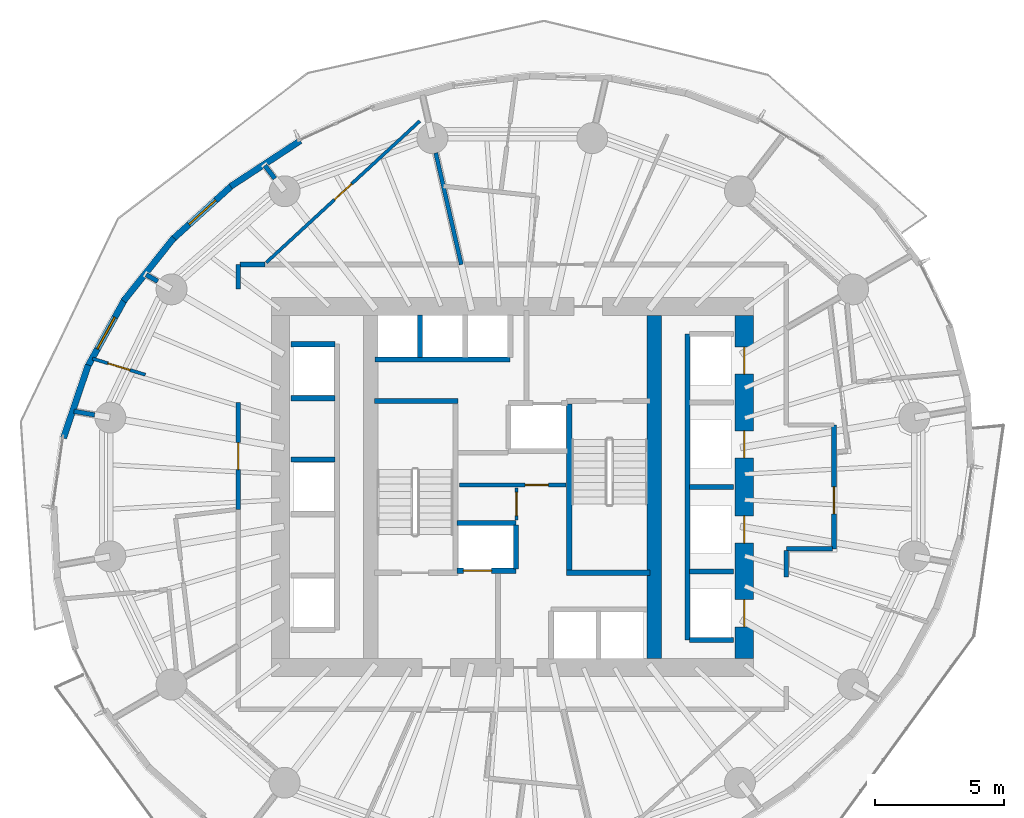
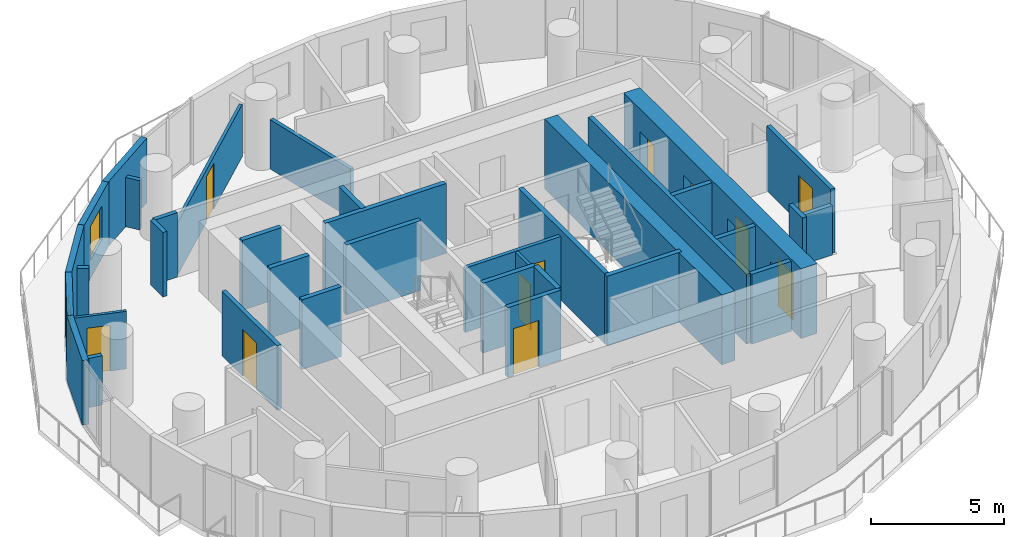
# One storey, part 8 of 14: 36 walls, 11 doors, 2 windows, 13 openings.
"""IFC4 building model written with IfcOpenShell, lengths in metres."""

import ifcopenshell
import ifcopenshell.guid

model = None  # the IFC model being written
_history = None  # IfcOwnerHistory: only IFC2X3 demands one
_inside = {}  # id of a spatial element -> (the spatial element, [elements in it])
_under = {}  # id of a project, library or spatial element -> (it, [spatial elements below it])
_declared = {}  # id of a project -> (the project, [libraries it declares])
_typed = {}  # id of a type object -> (the type object, [elements of that type])
_made_of = {}  # id of a material, layer set ... -> (it, [elements and type objects made of it])


def new_model(schema):
    """Start an empty IFC model of exactly this schema.

    Asked for "IFC4X3", IfcOpenShell would pick the latest addendum, in which some entities
    have other attributes; the version numbers below select the first issue.
    IFC2X3 requires an IfcOwnerHistory on every rooted entity: one is made here for all.
    """
    global model, _history
    if schema == "IFC4X3":
        model = ifcopenshell.file(schema_version=(4, 3, 0, 0))
    else:
        model = ifcopenshell.file(schema=schema)
    _inside.clear()
    _under.clear()
    _declared.clear()
    _typed.clear()
    _made_of.clear()
    _history = None
    if model.schema == "IFC2X3":
        org = make("IfcOrganization", Name="unknown")
        user = make(
            "IfcPersonAndOrganization",
            ThePerson=make("IfcPerson", FamilyName="unknown"),
            TheOrganization=org,
        )
        app = make(
            "IfcApplication",
            ApplicationDeveloper=org,
            Version="unknown",
            ApplicationFullName="unknown",
            ApplicationIdentifier="unknown",
        )
        _history = make(
            "IfcOwnerHistory",
            OwningUser=user,
            OwningApplication=app,
            ChangeAction="ADDED",
            CreationDate=0,
        )
    return model


def make(cls, **values):
    """One entity of the class cls with the attributes given. An attribute that is None is left unset."""
    return model.create_entity(
        cls, **{name: value for name, value in values.items() if value is not None}
    )


def rooted(cls, **values):
    """An entity with a GlobalId (a new one), such as an element, a storey or a relation."""
    return make(cls, GlobalId=ifcopenshell.guid.new(), OwnerHistory=_history, **values)


def si_unit(unit_type, name, prefix=None):
    """IfcSIUnit, for example si_unit("LENGTHUNIT", "METRE", prefix="MILLI")."""
    return make("IfcSIUnit", UnitType=unit_type, Prefix=prefix, Name=name)


def assignment(units):
    """IfcUnitAssignment: the units of a project."""
    return None if units is None else make("IfcUnitAssignment", Units=units)


def point(xyz):
    """IfcCartesianPoint."""
    return None if xyz is None else make("IfcCartesianPoint", Coordinates=xyz)


def direction(xyz):
    """IfcDirection."""
    return None if xyz is None else make("IfcDirection", DirectionRatios=xyz)


def frame(location, z_axis=None, x_axis=None):
    """IfcAxis2Placement3D, a coordinate frame: its origin and axes. An axis left out is left unset."""
    return make(
        "IfcAxis2Placement3D",
        Location=point(location),
        Axis=direction(z_axis),
        RefDirection=direction(x_axis),
    )


def frame_2d(location, x_axis=None):
    """IfcAxis2Placement2D, a coordinate frame in the plane: its origin and x axis."""
    return make(
        "IfcAxis2Placement2D", Location=point(location), RefDirection=direction(x_axis)
    )


def origin():
    """The frame at (0, 0, 0) with its axes left unset."""
    return frame((0.0, 0.0, 0.0))


def place(relative_to, where):
    """IfcLocalPlacement: puts the frame where relative to a parent placement (None: the world)."""
    return make(
        "IfcLocalPlacement", PlacementRelTo=relative_to, RelativePlacement=where
    )


def context(
    kind, dimensions, precision=None, world=None, true_north=None, identifier=None
):
    """IfcGeometricRepresentationContext, for example the 3D "Model" context."""
    return make(
        "IfcGeometricRepresentationContext",
        ContextIdentifier=identifier,
        ContextType=kind,
        CoordinateSpaceDimension=dimensions,
        Precision=precision,
        WorldCoordinateSystem=world,
        TrueNorth=true_north,
    )


def subcontext(parent, identifier, kind, view, scale=None):
    """IfcGeometricRepresentationSubContext, for example "Body" below "Model"."""
    return make(
        "IfcGeometricRepresentationSubContext",
        ContextIdentifier=identifier,
        ContextType=kind,
        ParentContext=parent,
        TargetScale=scale,
        TargetView=view,
    )


def project(units=None, contexts=None):
    """IfcProject with its units and contexts."""
    return rooted(
        "IfcProject",
        Name="project",
        RepresentationContexts=contexts,
        UnitsInContext=assignment(units),
    )


def spatial(cls, under=None, at=None, **own):
    """A site, building, storey or space (cls), placed at a placement, below another one or the project."""
    s = rooted(cls, ObjectPlacement=at, **own)
    if under is not None:
        _under.setdefault(under.id(), (under, []))[1].append(s)
    return s


def profile(cls, at=None, kind="AREA", **sizes):
    """A parametric profile (cls). Its sizes go by their IFC names, for example OverallWidth=200.0."""
    return make(cls, ProfileType=kind, Position=at, **sizes)


def rectangle(**sizes):
    """IfcRectangleProfileDef."""
    return profile("IfcRectangleProfileDef", **sizes)


def extrude(swept, where, along, depth):
    """IfcExtrudedAreaSolid: the profile swept, set in the frame where, extruded along a direction by depth."""
    return make(
        "IfcExtrudedAreaSolid",
        SweptArea=swept,
        Position=where,
        ExtrudedDirection=direction(along),
        Depth=depth,
    )


def shape(context_of_items, identifier, shape_type, items):
    """IfcShapeRepresentation: the items that make up one representation, for example the "Body"."""
    return make(
        "IfcShapeRepresentation",
        ContextOfItems=context_of_items,
        RepresentationIdentifier=identifier,
        RepresentationType=shape_type,
        Items=items,
    )


def material(Name=None, Category=None):
    """IfcMaterial."""
    return make("IfcMaterial", Name=Name, Category=Category)


def layer(
    of_material, thickness, ventilated=None, Name=None, Category=None, Priority=None
):
    """IfcMaterialLayer: one layer of a wall or slab, of a material (None: an air gap)."""
    return make(
        "IfcMaterialLayer",
        Material=of_material,
        LayerThickness=thickness,
        IsVentilated=ventilated,
        Name=Name,
        Category=Category,
        Priority=Priority,
    )


def layer_set(layers, Name=None):
    """IfcMaterialLayerSet."""
    return make("IfcMaterialLayerSet", MaterialLayers=layers, LayerSetName=Name)


def made_of(thing, what):
    """Note that an element or type object is made of a material, layer set ...; save() writes the relation."""
    if what is not None:
        _made_of.setdefault(what.id(), (what, []))[1].append(thing)
    return thing


def type_object(cls, material=None, **own):
    """A type object (cls), such as IfcWallType, which elements share."""
    return made_of(rooted(cls, **own), material)


def element(
    cls,
    number,
    at=None,
    inside=None,
    cuts=None,
    type_object=None,
    material=None,
    context=None,
    identifier="Body",
    shape_type=None,
    held_by="IfcProductDefinitionShape",
    body=None,
    shapes=None,
    **own,
):
    """One element of the class cls, such as IfcWall. Its Tag is "e" and its number.

    at: its placement. inside: the storey or other place that contains it. cuts: it is an
    opening in that element (IfcRelVoidsElement). A single representation is given by context,
    identifier, shape_type and body (its items); several are given by shapes. held_by: the class
    of the entity that holds the representations. save() writes the other relations.
    """
    e = rooted(cls, Tag="e%d" % number, ObjectPlacement=at, **own)
    if body is not None:
        shapes = [shape(context, identifier, shape_type, body)]
    if shapes is not None:
        e.Representation = make(held_by, Representations=shapes)
    if inside is not None:
        _inside.setdefault(inside.id(), (inside, []))[1].append(e)
    if cuts is not None:
        rooted(
            "IfcRelVoidsElement", RelatingBuildingElement=cuts, RelatedOpeningElement=e
        )
    if type_object is not None:
        _typed.setdefault(type_object.id(), (type_object, []))[1].append(e)
    return made_of(e, material)


def fill(opening, filler):
    """IfcRelFillsElement: the door or window that sits in an opening."""
    return rooted(
        "IfcRelFillsElement",
        RelatingOpeningElement=opening,
        RelatedBuildingElement=filler,
    )


def aggregate(whole, parts):
    """IfcRelAggregates: a whole, such as a stair, and the parts it consists of."""
    return rooted("IfcRelAggregates", RelatingObject=whole, RelatedObjects=parts)


def save(model, path):
    """Write the relations noted so far, then the file.

    IfcRelAggregates (storeys below a building ...), IfcRelContainedInSpatialStructure (elements
    in a storey), IfcRelDefinesByType, IfcRelAssociatesMaterial and IfcRelDeclares: one each for
    every whole, place, type object, material and project.
    """
    for whole, parts in _under.values():
        aggregate(whole, parts)
    for where, things in _inside.values():
        rooted(
            "IfcRelContainedInSpatialStructure",
            RelatedElements=things,
            RelatingStructure=where,
        )
    for kind, things in _typed.values():
        rooted("IfcRelDefinesByType", RelatedObjects=things, RelatingType=kind)
    for what, things in _made_of.values():
        rooted("IfcRelAssociatesMaterial", RelatedObjects=things, RelatingMaterial=what)
    for by, libraries in _declared.values():
        rooted("IfcRelDeclares", RelatingContext=by, RelatedDefinitions=libraries)
    model.write(path)


model = new_model("IFC4")

# Units and contexts
model_context = context("Model", 3, precision=1e-05, world=origin(), true_north=direction((0.0, 1.0)))
body_context = subcontext(model_context, "Body", "Model", "MODEL_VIEW")
ifc_project = project(units=[si_unit("LENGTHUNIT", "METRE"), si_unit("AREAUNIT", "SQUARE_METRE"), si_unit("VOLUMEUNIT", "CUBIC_METRE"), si_unit("PLANEANGLEUNIT", "RADIAN"), si_unit("MASSUNIT", "GRAM", prefix="KILO")], contexts=[model_context])

# Site, building, storey
site_placement = place(None, origin())
site = spatial("IfcSite", under=ifc_project, at=site_placement, CompositionType="ELEMENT")
building_placement = place(site_placement, origin())
building = spatial("IfcBuilding", under=site, at=building_placement, Name="Veldorim Arch Residences", CompositionType="ELEMENT")
storey_placement = place(building_placement, frame((0.0, 0.0, 83.679931640625)))
storey = spatial("IfcBuildingStorey", under=building, at=storey_placement, Name="L24", CompositionType="ELEMENT", Elevation=83.679931640625)

# Wall, opening, door
ifc_material_1 = material(Name="Acoustic Gypsum Board", Category="gypsum")
ifc_layer_1 = layer(ifc_material_1, 0.125, Name="Acoustic Stud Room Partition Wall 125")
ifc_layer_set_1 = layer_set([ifc_layer_1], Name="Acoustic Gypsum Board")
wall_type_1 = type_object("IfcWallType", Name="Acoustic Stud Room Partition Wall 125", PredefinedType="PARTITIONING", material=ifc_layer_set_1)
wall_1_placement = place(storey_placement, frame((32.159912109375, 22.719970703125, 0.0), z_axis=(0.0, 0.0, 1.0), x_axis=(0.0, 1.0, 0.0)))
wall_1 = element("IfcWall", 1, at=wall_1_placement, inside=storey, type_object=wall_type_1, Name="L24 interior wall WL-CA-L24-2", PredefinedType="PARTITIONING", context=body_context, shape_type="SweptSolid", body=[
    extrude(rectangle(XDim=1.25, YDim=0.125, at=frame_2d((0.625, 0.0))), origin(), (0.0, 0.0, 1.0), 2.955078125),
])
opening_1_placement = place(wall_1_placement, frame((0.169921875, 0.0, 0.0)))
opening_1 = element("IfcOpeningElement", 2, at=opening_1_placement, cuts=wall_1, Name="Opening DR-SVC", PredefinedType="OPENING", context=body_context, shape_type="SweptSolid", body=[
    extrude(rectangle(XDim=0.89990234375, YDim=2.10009765625, at=frame_2d((0.449951171875, 1.050048828125))), frame((0.0, 0.072509765625, 0.0), z_axis=(0.0, -1.0, 0.0), x_axis=(1.0, 0.0, 0.0)), (0.0, 0.0, 1.0), 0.14501953125),
])
ifc_material_2 = material(Name="Fire-Rated Steel", Category="steel")
door_type_1 = type_object("IfcDoorType", Name="Riser, Shelter & Plant Room Rated Steel Door 900x2100", OperationType="SINGLE_SWING_LEFT", PredefinedType="DOOR", material=ifc_material_2)
door_1_placement = place(opening_1_placement, origin())
door_1 = element("IfcDoor", 3, at=door_1_placement, inside=storey, type_object=door_type_1, Name="L24 interior door DR-L24-CA2", OperationType="SINGLE_SWING_RIGHT", OverallHeight=2.10009765625, OverallWidth=0.89990234375, PredefinedType="DOOR", context=body_context, shape_type="SweptSolid", body=[
    extrude(rectangle(XDim=0.89990234375, YDim=2.10009765625, at=frame_2d((0.449951171875, 1.050048828125))), frame((0.0, 0.02490234375, 0.0), z_axis=(0.0, -1.0, 0.0), x_axis=(1.0, 0.0, 0.0)), (0.0, 0.0, 1.0), 0.050048828125),
])
fill(opening_1, door_1)

wall_2_placement = place(storey_placement, frame((15.711669921875, 28.982177734375, 0.0), z_axis=(0.0, 0.0, 1.0), x_axis=(0.956248079097, -0.292557022175, 0.0)))
wall_2 = element("IfcWall", 4, at=wall_2_placement, inside=storey, type_object=wall_type_1, Name="L24 interior wall WL-RES-L24-036", PredefinedType="PARTITIONING", context=body_context, shape_type="SweptSolid", body=[
    extrude(rectangle(XDim=2.143798828125, YDim=0.125, at=frame_2d((1.07177734375, 0.0))), origin(), (0.0, 0.0, 1.0), 2.641357421875),
])
opening_2_placement = place(wall_2_placement, frame((0.6220703125, 0.0, 0.0)))
opening_2 = element("IfcOpeningElement", 5, at=opening_2_placement, cuts=wall_2, Name="Opening DR-INT", PredefinedType="OPENING", context=body_context, shape_type="SweptSolid", body=[
    extrude(rectangle(XDim=0.89990234375, YDim=2.10009765625, at=frame_2d((0.449951171875, 1.050048828125))), frame((0.0, 0.072509765625, 0.0), z_axis=(0.0, -1.0, 0.0), x_axis=(1.0, 0.0, 0.0)), (0.0, 0.0, 1.0), 0.14501953125),
])
ifc_material_3 = material(Name="Engineered Timber", Category="wood")
door_type_2 = type_object("IfcDoorType", Name="Apartment Internal Room Timber Door 900x2100", OperationType="SINGLE_SWING_LEFT", PredefinedType="DOOR", material=ifc_material_3)
door_2_placement = place(opening_2_placement, origin())
door_2 = element("IfcDoor", 6, at=door_2_placement, inside=storey, type_object=door_type_2, Name="L24 interior door DR-RES-L24-018", OperationType="SINGLE_SWING_RIGHT", OverallHeight=2.10009765625, OverallWidth=0.89990234375, PredefinedType="DOOR", context=body_context, shape_type="SweptSolid", body=[
    extrude(rectangle(XDim=0.89990234375, YDim=2.10009765625, at=frame_2d((0.449951171875, 1.050048828125))), frame((0.0, 0.02490234375, 0.0), z_axis=(0.0, -1.0, 0.0), x_axis=(1.0, 0.0, 0.0)), (0.0, 0.0, 1.0), 0.050048828125),
])
fill(opening_2, door_2)

wall_3_placement = place(storey_placement, frame((28.408203125, 38.19482421875, 0.0), z_axis=(0.0, 0.0, 1.0), x_axis=(-0.735306461181, -0.677734762386, 0.0)))
wall_3 = element("IfcWall", 7, at=wall_3_placement, inside=storey, type_object=wall_type_1, Name="L24 interior wall WL-RES-L24-039", PredefinedType="PARTITIONING", context=body_context, shape_type="SweptSolid", body=[
    extrude(rectangle(XDim=8.091064453125, YDim=0.125, at=frame_2d((4.04541015625, 0.0))), origin(), (0.0, 0.0, 1.0), 2.403564453125),
])
opening_3_placement = place(wall_3_placement, frame((3.595703125, 0.0, 0.0)))
opening_3 = element("IfcOpeningElement", 8, at=opening_3_placement, cuts=wall_3, Name="Opening DR-INT", PredefinedType="OPENING", context=body_context, shape_type="SweptSolid", body=[
    extrude(rectangle(XDim=0.89990234375, YDim=2.10009765625, at=frame_2d((0.449951171875, 1.050048828125))), frame((0.0, 0.072509765625, 0.0), z_axis=(0.0, -1.0, 0.0), x_axis=(1.0, 0.0, 0.0)), (0.0, 0.0, 1.0), 0.14501953125),
])
door_3_placement = place(opening_3_placement, origin())
door_3 = element("IfcDoor", 9, at=door_3_placement, inside=storey, type_object=door_type_2, Name="L24 interior door DR-RES-L24-019", OperationType="SINGLE_SWING_LEFT", OverallHeight=2.10009765625, OverallWidth=0.89990234375, PredefinedType="DOOR", context=body_context, shape_type="SweptSolid", body=[
    extrude(rectangle(XDim=0.89990234375, YDim=2.10009765625, at=frame_2d((0.449951171875, 1.050048828125))), frame((0.0, 0.02490234375, 0.0), z_axis=(0.0, -1.0, 0.0), x_axis=(1.0, 0.0, 0.0)), (0.0, 0.0, 1.0), 0.050048828125),
])
fill(opening_3, door_3)

# Walls
ifc_material_4 = material(Name="Lightweight Masonry Block & Gypsum", Category="masonry")
ifc_layer_2 = layer(ifc_material_4, 0.179931640625, Name="Compartment & Corridor Fire-Rated Party Wall 180")
ifc_layer_set_2 = layer_set([ifc_layer_2], Name="Lightweight Masonry Block & Gypsum")
wall_type_2 = type_object("IfcWallType", Name="Compartment & Corridor Fire-Rated Party Wall 180", PredefinedType="PARTITIONING", material=ifc_layer_set_2)
wall_4_placement = place(storey_placement, frame((22.7880859375, 35.965576171875, 0.0), z_axis=(0.0, 0.0, 1.0), x_axis=(-0.609970610867, 0.792424036661, 0.0)))
element("IfcWall", 10, at=wall_4_placement, inside=storey, type_object=wall_type_2, Name="L24 interior wall WL-PIER-L24-06", PredefinedType="PARTITIONING", context=body_context, shape_type="SweptSolid", body=[
    extrude(rectangle(XDim=0.635498046875, YDim=0.179931640625, at=frame_2d((0.31787109375, 0.0))), origin(), (0.0, 0.0, 1.0), 2.2607421875),
])
wall_5_placement = place(storey_placement, frame((18.243408203125, 31.977783203125, 0.0), z_axis=(0.0, 0.0, 1.0), x_axis=(-0.864981735625, 0.501803344981, 0.0)))
element("IfcWall", 11, at=wall_5_placement, inside=storey, type_object=wall_type_2, Name="L24 interior wall WL-PIER-L24-07", PredefinedType="PARTITIONING", context=body_context, shape_type="SweptSolid", body=[
    extrude(rectangle(XDim=0.51416015625, YDim=0.179931640625, at=frame_2d((0.257080078125, 0.0))), origin(), (0.0, 0.0, 1.0), 2.2607421875),
])
wall_6_placement = place(storey_placement, frame((15.79443359375, 26.797607421875, 0.0), z_axis=(0.0, 0.0, 1.0), x_axis=(-0.985418430365, 0.170148514822, 0.0)))
element("IfcWall", 12, at=wall_6_placement, inside=storey, type_object=wall_type_2, Name="L24 interior wall WL-PIER-L24-08", PredefinedType="PARTITIONING", context=body_context, shape_type="SweptSolid", body=[
    extrude(rectangle(XDim=0.812255859375, YDim=0.179931640625, at=frame_2d((0.40625, 0.0))), origin(), (0.0, 0.0, 1.0), 2.2607421875),
])

# Wall, opening, door
wall_7_placement = place(storey_placement, frame((44.47998046875, 26.39990234375, 0.0), z_axis=(0.0, 0.0, 1.0), x_axis=(0.0, -1.0, 0.0)))
wall_7 = element("IfcWall", 13, at=wall_7_placement, inside=storey, type_object=wall_type_2, Name="L24 interior wall WL-RES-L24-003", PredefinedType="PARTITIONING", context=body_context, shape_type="SweptSolid", body=[
    extrude(rectangle(XDim=4.7998046875, YDim=0.179931640625, at=frame_2d((2.39990234375, 0.0))), origin(), (0.0, 0.0, 1.0), 2.955078125),
])
opening_4_placement = place(wall_7_placement, frame((2.39208984375, 0.0, 0.0)))
opening_4 = element("IfcOpeningElement", 14, at=opening_4_placement, cuts=wall_7, Name="Opening DR-FLT", PredefinedType="OPENING", context=body_context, shape_type="SweptSolid", body=[
    extrude(rectangle(XDim=1.050048828125, YDim=2.14990234375, at=frame_2d((0.52490234375, 1.074951171875))), frame((0.0, 0.099853515625, 0.0), z_axis=(0.0, -1.0, 0.0), x_axis=(1.0, 0.0, 0.0)), (0.0, 0.0, 1.0), 0.199951171875),
])
ifc_material_5 = material(Name="Fire-Rated Timber", Category="wood")
door_type_3 = type_object("IfcDoorType", Name="Apartment Entrance Solid-Core Fire Door 1050x2150", OperationType="SINGLE_SWING_LEFT", PredefinedType="DOOR", material=ifc_material_5)
door_4_placement = place(opening_4_placement, origin())
door_4 = element("IfcDoor", 15, at=door_4_placement, inside=storey, type_object=door_type_3, Name="L24 interior door DR-RES-L24-006", OperationType="SINGLE_SWING_RIGHT", OverallHeight=2.14990234375, OverallWidth=1.050048828125, PredefinedType="DOOR", context=body_context, shape_type="SweptSolid", body=[
    extrude(rectangle(XDim=1.050048828125, YDim=2.14990234375, at=frame_2d((0.52490234375, 1.074951171875))), frame((0.0, 0.02490234375, 0.0), z_axis=(0.0, -1.0, 0.0), x_axis=(1.0, 0.0, 0.0)), (0.0, 0.0, 1.0), 0.050048828125),
])
fill(opening_4, door_4)

# Walls
wall_8_placement = place(storey_placement, frame((44.419921875, 21.60009765625, 0.0), z_axis=(0.0, 0.0, 1.0), x_axis=(-1.0, 0.0, 0.0)))
element("IfcWall", 16, at=wall_8_placement, inside=storey, type_object=wall_type_2, Name="L24 interior wall WL-RES-L24-004", PredefinedType="PARTITIONING", context=body_context, shape_type="SweptSolid", body=[
    extrude(rectangle(XDim=1.7900390625, YDim=0.179931640625, at=frame_2d((0.89501953125, 0.0))), origin(), (0.0, 0.0, 1.0), 2.2607421875),
])
wall_9_placement = place(storey_placement, frame((42.6298828125, 21.5400390625, 0.0), z_axis=(0.0, 0.0, 1.0), x_axis=(0.0, -1.0, 0.0)))
element("IfcWall", 17, at=wall_9_placement, inside=storey, type_object=wall_type_2, Name="L24 interior wall WL-RES-L24-005", PredefinedType="PARTITIONING", context=body_context, shape_type="SweptSolid", body=[
    extrude(rectangle(XDim=1.033935546875, YDim=0.179931640625, at=frame_2d((0.51708984375, 0.0))), origin(), (0.0, 0.0, 1.0), 2.955078125),
])

# Wall, opening, door
wall_10_placement = place(storey_placement, frame((21.3701171875, 23.118408203125, 0.0), z_axis=(0.0, 0.0, 1.0), x_axis=(0.0, 1.0, 0.0)))
wall_10 = element("IfcWall", 18, at=wall_10_placement, inside=storey, type_object=wall_type_2, Name="L24 interior wall WL-RES-L24-011", PredefinedType="PARTITIONING", context=body_context, shape_type="SweptSolid", body=[
    extrude(rectangle(XDim=4.15380859375, YDim=0.179931640625, at=frame_2d((2.076904296875, 0.0))), origin(), (0.0, 0.0, 1.0), 2.955078125),
])
opening_5_placement = place(wall_10_placement, frame((1.552001953125, 0.0, 0.0)))
opening_5 = element("IfcOpeningElement", 19, at=opening_5_placement, cuts=wall_10, Name="Opening DR-FLT", PredefinedType="OPENING", context=body_context, shape_type="SweptSolid", body=[
    extrude(rectangle(XDim=1.050048828125, YDim=2.14990234375, at=frame_2d((0.52490234375, 1.074951171875))), frame((0.0, 0.099853515625, 0.0), z_axis=(0.0, -1.0, 0.0), x_axis=(1.0, 0.0, 0.0)), (0.0, 0.0, 1.0), 0.199951171875),
])
door_5_placement = place(opening_5_placement, origin())
door_5 = element("IfcDoor", 20, at=door_5_placement, inside=storey, type_object=door_type_3, Name="L24 interior door DR-RES-L24-016", OperationType="SINGLE_SWING_RIGHT", OverallHeight=2.14990234375, OverallWidth=1.050048828125, PredefinedType="DOOR", context=body_context, shape_type="SweptSolid", body=[
    extrude(rectangle(XDim=1.050048828125, YDim=2.14990234375, at=frame_2d((0.52490234375, 1.074951171875))), frame((0.0, 0.02490234375, 0.0), z_axis=(0.0, -1.0, 0.0), x_axis=(1.0, 0.0, 0.0)), (0.0, 0.0, 1.0), 0.050048828125),
])
fill(opening_5, door_5)

# Walls
wall_11_placement = place(storey_placement, frame((21.3701171875, 31.6806640625, 0.0), z_axis=(0.0, 0.0, 1.0), x_axis=(0.0, 1.0, 0.0)))
element("IfcWall", 21, at=wall_11_placement, inside=storey, type_object=wall_type_2, Name="L24 interior wall WL-RES-L24-012", PredefinedType="PARTITIONING", context=body_context, shape_type="SweptSolid", body=[
    extrude(rectangle(XDim=0.94921875, YDim=0.179931640625, at=frame_2d((0.474609375, 0.0))), origin(), (0.0, 0.0, 1.0), 2.955078125),
])
wall_12_placement = place(storey_placement, frame((21.429931640625, 32.6298828125, 0.0), z_axis=(0.0, 0.0, 1.0), x_axis=(1.0, 0.0, 0.0)))
element("IfcWall", 22, at=wall_12_placement, inside=storey, type_object=wall_type_2, Name="L24 interior wall WL-RES-L24-013", PredefinedType="PARTITIONING", context=body_context, shape_type="SweptSolid", body=[
    extrude(rectangle(XDim=0.969970703125, YDim=0.179931640625, at=frame_2d((0.48486328125, 0.0))), origin(), (0.0, 0.0, 1.0), 2.955078125),
])
ifc_material_6 = material(Name="Concrete C50/60", Category="concrete")
ifc_layer_3 = layer(ifc_material_6, 0.199951171875, Name="Core Stair & Lift Shaft Enclosure Wall 200")
ifc_layer_set_3 = layer_set([ifc_layer_3], Name="Concrete C50/60")
wall_type_3 = type_object("IfcWallType", Name="Core Stair & Lift Shaft Enclosure Wall 200", PredefinedType="SHEAR", material=ifc_layer_set_3)
wall_13_placement = place(storey_placement, frame((26.64990234375, 27.330078125, 0.0), z_axis=(0.0, 0.0, 1.0), x_axis=(1.0, 0.0, 0.0)))
element("IfcWall", 23, at=wall_13_placement, inside=storey, type_object=wall_type_3, Name="L24 shaft wall WL-SHF-L24-ST1-N", PredefinedType="SHEAR", context=body_context, shape_type="SweptSolid", body=[
    extrude(rectangle(XDim=3.239990234375, YDim=0.199951171875, at=frame_2d((1.6201171875, 0.0))), origin(), (0.0, 0.0, 1.0), 3.199951171875),
])
wall_14_placement = place(storey_placement, frame((34.2099609375, 20.780029296875, 0.0), z_axis=(0.0, 0.0, 1.0), x_axis=(0.0, 1.0, 0.0)))
element("IfcWall", 24, at=wall_14_placement, inside=storey, type_object=wall_type_3, Name="L24 shaft wall WL-SHF-L24-ST2-W", PredefinedType="SHEAR", context=body_context, shape_type="SweptSolid", body=[
    extrude(rectangle(XDim=6.43994140625, YDim=0.199951171875, at=frame_2d((3.219970703125, 0.0))), origin(), (0.0, 0.0, 1.0), 3.199951171875),
])
wall_15_placement = place(storey_placement, frame((34.110107421875, 20.669921875, 0.0), z_axis=(0.0, 0.0, 1.0), x_axis=(1.0, 0.0, 0.0)))
element("IfcWall", 25, at=wall_15_placement, inside=storey, type_object=wall_type_3, Name="L24 shaft wall WL-SHF-L24-ST2-S", PredefinedType="SHEAR", context=body_context, shape_type="SweptSolid", body=[
    extrude(rectangle(XDim=3.239990234375, YDim=0.199951171875, at=frame_2d((1.6201171875, 0.0))), origin(), (0.0, 0.0, 1.0), 3.199951171875),
])

# Wall, opening, door
wall_16_placement = place(storey_placement, frame((29.85009765625, 20.75, 0.0), z_axis=(0.0, 0.0, 1.0), x_axis=(1.0, 0.0, 0.0)))
wall_16 = element("IfcWall", 26, at=wall_16_placement, inside=storey, type_object=wall_type_3, Name="L24 shaft wall WL-FL01-L24-S", PredefinedType="SHEAR", context=body_context, shape_type="SweptSolid", body=[
    extrude(rectangle(XDim=2.2998046875, YDim=0.199951171875, at=frame_2d((1.14990234375, 0.0))), origin(), (0.0, 0.0, 1.0), 3.199951171875),
])
opening_6_placement = place(wall_16_placement, frame((0.25, 0.0, 0.0)))
opening_6 = element("IfcOpeningElement", 27, at=opening_6_placement, cuts=wall_16, Name="Opening LD-FF", PredefinedType="OPENING", context=body_context, shape_type="SweptSolid", body=[
    extrude(rectangle(XDim=1.10009765625, YDim=2.14990234375, at=frame_2d((0.550048828125, 1.074951171875))), frame((0.0, 0.10986328125, 0.0), z_axis=(0.0, -1.0, 0.0), x_axis=(1.0, 0.0, 0.0)), (0.0, 0.0, 1.0), 0.219970703125),
])
ifc_material_7 = material(Name="Stainless Steel", Category="steel")
door_type_4 = type_object("IfcDoorType", Name="Firefighting Lift Bi-Parting Sliding Landing Door 1100x2150", OperationType="DOUBLE_DOOR_SLIDING", PredefinedType="DOOR", material=ifc_material_7)
door_6_placement = place(opening_6_placement, origin())
door_6 = element("IfcDoor", 28, at=door_6_placement, inside=storey, type_object=door_type_4, Name="L24 lift landing door LD-L24-FL01", OperationType="DOUBLE_DOOR_SLIDING", OverallHeight=2.14990234375, OverallWidth=1.10009765625, PredefinedType="DOOR", context=body_context, shape_type="SweptSolid", body=[
    extrude(rectangle(XDim=1.10009765625, YDim=2.14990234375, at=frame_2d((0.550048828125, 1.074951171875))), frame((0.0, 0.02490234375, 0.0), z_axis=(0.0, -1.0, 0.0), x_axis=(1.0, 0.0, 0.0)), (0.0, 0.0, 1.0), 0.050048828125),
])
fill(opening_6, door_6)

# Walls
wall_17_placement = place(storey_placement, frame((29.85009765625, 22.60009765625, 0.0), z_axis=(0.0, 0.0, 1.0), x_axis=(1.0, 0.0, 0.0)))
element("IfcWall", 29, at=wall_17_placement, inside=storey, type_object=wall_type_3, Name="L24 shaft wall WL-FL01-L24-N", PredefinedType="SHEAR", context=body_context, shape_type="SweptSolid", body=[
    extrude(rectangle(XDim=2.2998046875, YDim=0.199951171875, at=frame_2d((1.14990234375, 0.0))), origin(), (0.0, 0.0, 1.0), 3.199951171875),
])
wall_18_placement = place(storey_placement, frame((32.14990234375, 20.820068359375, 0.0), z_axis=(0.0, 0.0, 1.0), x_axis=(0.0, 1.0, 0.0)))
element("IfcWall", 30, at=wall_18_placement, inside=storey, type_object=wall_type_3, Name="L24 shaft wall WL-FL01-L24-E", PredefinedType="SHEAR", context=body_context, shape_type="SweptSolid", body=[
    extrude(rectangle(XDim=1.7099609375, YDim=0.199951171875, at=frame_2d((0.85498046875, 0.0))), origin(), (0.0, 0.0, 1.0), 3.199951171875),
])
wall_19_placement = place(storey_placement, frame((38.800048828125, 18.06005859375, 0.0), z_axis=(0.0, 0.0, 1.0), x_axis=(0.0, 1.0, 0.0)))
element("IfcWall", 31, at=wall_19_placement, inside=storey, type_object=wall_type_3, Name="L24 shaft wall WL-B1-L24-W", PredefinedType="SHEAR", context=body_context, shape_type="SweptSolid", body=[
    extrude(rectangle(XDim=11.8798828125, YDim=0.199951171875, at=frame_2d((5.93994140625, 0.0))), origin(), (0.0, 0.0, 1.0), 3.199951171875),
])
for number, where, z_axis, x_axis, name in (
    (32, (38.8701171875, 18.06005859375, 0.0), (0.0, 0.0, 1.0), (1.0, 0.0, 0.0), "L24 shaft wall WL-B1-L24-S"),
    (33, (38.8701171875, 20.72509765625, 0.0), (0.0, 0.0, 1.0), (1.0, 0.0, 0.0), "L24 shaft wall WL-B1-L24-D1"),
    (34, (38.8701171875, 24.0, 0.0), (0.0, 0.0, 1.0), (1.0, 0.0, 0.0), "L24 shaft wall WL-B1-L24-D2"),
    (35, (23.419921875, 29.5400390625, 0.0), (0.0, 0.0, 1.0), (1.0, 0.0, 0.0), "L24 shaft wall WL-B2-L24-N"),
    (36, (23.419921875, 25.06005859375, 0.0), (0.0, 0.0, 1.0), (1.0, 0.0, 0.0), "L24 shaft wall WL-B2-L24-D2A"),
    (37, (23.419921875, 27.43994140625, 0.0), (0.0, 0.0, 1.0), (1.0, 0.0, 0.0), "L24 shaft wall WL-B2-L24-D2B"),
):
    element("IfcWall", number, at=place(storey_placement, frame(where, z_axis=z_axis, x_axis=x_axis)), inside=storey, type_object=wall_type_3, Name=name, PredefinedType="SHEAR", context=body_context, shape_type="SweptSolid", body=[
        extrude(rectangle(XDim=1.7099609375, YDim=0.199951171875, at=frame_2d((0.85498046875, 0.0))), origin(), (0.0, 0.0, 1.0), 3.199951171875),
    ])
wall_20_placement = place(storey_placement, frame((26.679931640625, 28.949951171875, 0.0), z_axis=(0.0, 0.0, 1.0), x_axis=(1.0, 0.0, 0.0)))
element("IfcWall", 38, at=wall_20_placement, inside=storey, type_object=wall_type_3, Name="L24 shaft wall WL-B3-L24-S", PredefinedType="SHEAR", context=body_context, shape_type="SweptSolid", body=[
    extrude(rectangle(XDim=5.239990234375, YDim=0.199951171875, at=frame_2d((2.6201171875, 0.0))), origin(), (0.0, 0.0, 1.0), 3.199951171875),
])
wall_21_placement = place(storey_placement, frame((28.425048828125, 29.02001953125, 0.0), z_axis=(0.0, 0.0, 1.0), x_axis=(0.0, 1.0, 0.0)))
element("IfcWall", 39, at=wall_21_placement, inside=storey, type_object=wall_type_3, Name="L24 shaft wall WL-B3-L24-D1", PredefinedType="SHEAR", context=body_context, shape_type="SweptSolid", body=[
    extrude(rectangle(XDim=1.659912109375, YDim=0.199951171875, at=frame_2d((0.830078125, 0.0))), origin(), (0.0, 0.0, 1.0), 3.199951171875),
])
ifc_material_8 = material(Name="Concrete C60/75", Category="concrete")
ifc_layer_4 = layer(ifc_material_8, 0.56005859375, Name="Internal Core Shear Web Wall 560")
ifc_layer_set_4 = layer_set([ifc_layer_4], Name="Concrete C60/75")
wall_type_4 = type_object("IfcWallType", Name="Internal Core Shear Web Wall 560", PredefinedType="SHEAR", material=ifc_layer_set_4)
wall_22_placement = place(storey_placement, frame((37.5, 17.35009765625, 0.0), z_axis=(0.0, 0.0, 1.0), x_axis=(0.0, 1.0, 0.0)))
element("IfcWall", 40, at=wall_22_placement, inside=storey, type_object=wall_type_4, Name="L24 core east internal shear web", PredefinedType="SHEAR", context=body_context, shape_type="SweptSolid", body=[
    extrude(rectangle(XDim=13.2998046875, YDim=0.56005859375, at=frame_2d((6.64990234375, 0.0))), origin(), (0.0, 0.0, 1.0), 3.199951171875),
])

# Wall, openings, doors
ifc_material_9 = material(Name="Concrete C60/75", Category="concrete")
ifc_layer_5 = layer(ifc_material_9, 0.699951171875, Name="Mid-Lower Central Core Shear Wall 700")
ifc_layer_set_5 = layer_set([ifc_layer_5], Name="Concrete C60/75")
wall_type_5 = type_object("IfcWallType", Name="Mid-Lower Central Core Shear Wall 700", PredefinedType="SHEAR", material=ifc_layer_set_5)
wall_23_placement = place(storey_placement, frame((41.0, 17.35009765625, 0.0), z_axis=(0.0, 0.0, 1.0), x_axis=(0.0, 1.0, 0.0)))
wall_23 = element("IfcWall", 41, at=wall_23_placement, inside=storey, type_object=wall_type_5, Name="L24 central core east shear wall", PredefinedType="SHEAR", context=body_context, shape_type="SweptSolid", body=[
    extrude(rectangle(XDim=13.2998046875, YDim=0.699951171875, at=frame_2d((6.64990234375, 0.0))), origin(), (0.0, 0.0, 1.0), 3.199951171875),
])
opening_7_placement = place(wall_23_placement, frame((1.22509765625, 0.0, 0.0)))
opening_7 = element("IfcOpeningElement", 42, at=opening_7_placement, cuts=wall_23, Name="Opening LD-PS", PredefinedType="OPENING", context=body_context, shape_type="SweptSolid", body=[
    extrude(rectangle(XDim=1.050048828125, YDim=2.14990234375, at=frame_2d((0.52490234375, 1.074951171875))), frame((0.0, 0.35986328125, 0.0), z_axis=(0.0, -1.0, 0.0), x_axis=(1.0, 0.0, 0.0)), (0.0, 0.0, 1.0), 0.719970703125),
])
opening_8_placement = place(wall_23_placement, frame((4.47509765625, 0.0, 0.0)))
opening_8 = element("IfcOpeningElement", 43, at=opening_8_placement, cuts=wall_23, Name="Opening LD-PS", PredefinedType="OPENING", context=body_context, shape_type="SweptSolid", body=[
    extrude(rectangle(XDim=1.050048828125, YDim=2.14990234375, at=frame_2d((0.52490234375, 1.074951171875))), frame((0.0, 0.35986328125, 0.0), z_axis=(0.0, -1.0, 0.0), x_axis=(1.0, 0.0, 0.0)), (0.0, 0.0, 1.0), 0.719970703125),
])
opening_9_placement = place(wall_23_placement, frame((7.77490234375, 0.0, 0.0)))
opening_9 = element("IfcOpeningElement", 44, at=opening_9_placement, cuts=wall_23, Name="Opening LD-PS", PredefinedType="OPENING", context=body_context, shape_type="SweptSolid", body=[
    extrude(rectangle(XDim=1.050048828125, YDim=2.14990234375, at=frame_2d((0.52490234375, 1.074951171875))), frame((0.0, 0.35986328125, 0.0), z_axis=(0.0, -1.0, 0.0), x_axis=(1.0, 0.0, 0.0)), (0.0, 0.0, 1.0), 0.719970703125),
])
opening_10_placement = place(wall_23_placement, frame((11.02490234375, 0.0, 0.0)))
opening_10 = element("IfcOpeningElement", 45, at=opening_10_placement, cuts=wall_23, Name="Opening LD-PS", PredefinedType="OPENING", context=body_context, shape_type="SweptSolid", body=[
    extrude(rectangle(XDim=1.050048828125, YDim=2.14990234375, at=frame_2d((0.52490234375, 1.074951171875))), frame((0.0, 0.35986328125, 0.0), z_axis=(0.0, -1.0, 0.0), x_axis=(1.0, 0.0, 0.0)), (0.0, 0.0, 1.0), 0.719970703125),
])
ifc_material_10 = material(Name="Stainless Steel", Category="steel")
door_type_5 = type_object("IfcDoorType", Name="Passenger Lift Bi-Parting Sliding Landing Door 1050x2150", OperationType="DOUBLE_DOOR_SLIDING", PredefinedType="DOOR", material=ifc_material_10)
door_7_placement = place(opening_7_placement, origin())
door_7 = element("IfcDoor", 46, at=door_7_placement, inside=storey, type_object=door_type_5, Name="L24 lift landing door LD-L24-PL-01", OperationType="DOUBLE_DOOR_SLIDING", OverallHeight=2.14990234375, OverallWidth=1.050048828125, PredefinedType="DOOR", context=body_context, shape_type="SweptSolid", body=[
    extrude(rectangle(XDim=1.050048828125, YDim=2.14990234375, at=frame_2d((0.52490234375, 1.074951171875))), frame((0.0, 0.02490234375, 0.0), z_axis=(0.0, -1.0, 0.0), x_axis=(1.0, 0.0, 0.0)), (0.0, 0.0, 1.0), 0.050048828125),
])
fill(opening_7, door_7)
door_8_placement = place(opening_8_placement, origin())
door_8 = element("IfcDoor", 47, at=door_8_placement, inside=storey, type_object=door_type_5, Name="L24 lift landing door LD-L24-PL-02", OperationType="DOUBLE_DOOR_SLIDING", OverallHeight=2.14990234375, OverallWidth=1.050048828125, PredefinedType="DOOR", context=body_context, shape_type="SweptSolid", body=[
    extrude(rectangle(XDim=1.050048828125, YDim=2.14990234375, at=frame_2d((0.52490234375, 1.074951171875))), frame((0.0, 0.02490234375, 0.0), z_axis=(0.0, -1.0, 0.0), x_axis=(1.0, 0.0, 0.0)), (0.0, 0.0, 1.0), 0.050048828125),
])
fill(opening_8, door_8)
door_9_placement = place(opening_9_placement, origin())
door_9 = element("IfcDoor", 48, at=door_9_placement, inside=storey, type_object=door_type_5, Name="L24 lift landing door LD-L24-PL-03", OperationType="DOUBLE_DOOR_SLIDING", OverallHeight=2.14990234375, OverallWidth=1.050048828125, PredefinedType="DOOR", context=body_context, shape_type="SweptSolid", body=[
    extrude(rectangle(XDim=1.050048828125, YDim=2.14990234375, at=frame_2d((0.52490234375, 1.074951171875))), frame((0.0, 0.02490234375, 0.0), z_axis=(0.0, -1.0, 0.0), x_axis=(1.0, 0.0, 0.0)), (0.0, 0.0, 1.0), 0.050048828125),
])
fill(opening_9, door_9)
door_10_placement = place(opening_10_placement, origin())
door_10 = element("IfcDoor", 49, at=door_10_placement, inside=storey, type_object=door_type_5, Name="L24 lift landing door LD-L24-PL-04", OperationType="DOUBLE_DOOR_SLIDING", OverallHeight=2.14990234375, OverallWidth=1.050048828125, PredefinedType="DOOR", context=body_context, shape_type="SweptSolid", body=[
    extrude(rectangle(XDim=1.050048828125, YDim=2.14990234375, at=frame_2d((0.52490234375, 1.074951171875))), frame((0.0, 0.02490234375, 0.0), z_axis=(0.0, -1.0, 0.0), x_axis=(1.0, 0.0, 0.0)), (0.0, 0.0, 1.0), 0.050048828125),
])
fill(opening_10, door_10)

# Wall
ifc_material_11 = material(Name="Precast concrete C40/50", Category="concrete")
ifc_layer_6 = layer(ifc_material_11, 0.25, Name="Tower Terracotta Spandrel & Pier Wall 250")
ifc_layer_set_6 = layer_set([ifc_layer_6], Name="Precast concrete C40/50")
wall_type_6 = type_object("IfcWallType", Name="Tower Terracotta Spandrel & Pier Wall 250", PredefinedType="SOLIDWALL", material=ifc_layer_set_6)
wall_24_placement = place(storey_placement, frame((21.070556640625, 35.6630859375, 0.0), z_axis=(0.0, 0.0, 1.0), x_axis=(0.836273856728, 0.548311988336, 0.0)))
element("IfcWall", 50, at=wall_24_placement, inside=storey, type_object=wall_type_6, Name="L24 terracotta facade wall 11", PredefinedType="SOLIDWALL", context=body_context, shape_type="SweptSolid", body=[
    extrude(rectangle(XDim=3.236083984375, YDim=0.25, at=frame_2d((1.6181640625, 0.0))), origin(), (0.0, 0.0, 1.0), 2.9599609375),
])

# Wall, opening, window
wall_25_placement = place(storey_placement, frame((18.792236328125, 33.585693359375, 0.0), z_axis=(0.0, 0.0, 1.0), x_axis=(0.740832321657, 0.671690011232, 0.0)))
wall_25 = element("IfcWall", 51, at=wall_25_placement, inside=storey, type_object=wall_type_6, Name="L24 terracotta facade wall 12", PredefinedType="SOLIDWALL", context=body_context, shape_type="SweptSolid", body=[
    extrude(rectangle(XDim=3.19189453125, YDim=0.25, at=frame_2d((1.595947265625, 0.0))), origin(), (0.0, 0.0, 1.0), 2.9599609375),
])
opening_11_placement = place(wall_25_placement, frame((0.89599609375, 0.0, 0.85009765625)))
opening_11 = element("IfcOpeningElement", 52, at=opening_11_placement, cuts=wall_25, Name="Opening WN-02", PredefinedType="OPENING", context=body_context, shape_type="SweptSolid", body=[
    extrude(rectangle(XDim=1.39990234375, YDim=1.550048828125, at=frame_2d((0.699951171875, 0.77490234375))), frame((0.0, 0.135009765625, 0.0), z_axis=(0.0, -1.0, 0.0), x_axis=(1.0, 0.0, 0.0)), (0.0, 0.0, 1.0), 0.27001953125),
])
ifc_material_12 = material(Name="Laminated Low-E Glass", Category="glass")
window_type = type_object("IfcWindowType", Name="Residential Casement Window 1400x1550", PartitioningType="SINGLE_PANEL", PredefinedType="WINDOW", material=ifc_material_12)
window_1_placement = place(opening_11_placement, origin())
window_1 = element("IfcWindow", 53, at=window_1_placement, inside=storey, type_object=window_type, Name="L24 solar-control facade window 12", OverallHeight=1.550048828125, OverallWidth=1.39990234375, PartitioningType="SINGLE_PANEL", PredefinedType="WINDOW", context=body_context, shape_type="SweptSolid", body=[
    extrude(rectangle(XDim=1.39990234375, YDim=1.550048828125, at=frame_2d((0.699951171875, 0.77490234375))), frame((0.0, 0.030029296875, 0.0), z_axis=(0.0, -1.0, 0.0), x_axis=(1.0, 0.0, 0.0)), (0.0, 0.0, 1.0), 0.06005859375),
])
fill(opening_11, window_1)

# Wall
wall_26_placement = place(storey_placement, frame((16.916259765625, 31.217041015625, 0.0), z_axis=(0.0, 0.0, 1.0), x_axis=(0.623134406496, 0.782114768714, 0.0)))
element("IfcWall", 54, at=wall_26_placement, inside=storey, type_object=wall_type_6, Name="L24 terracotta facade wall 13", PredefinedType="SOLIDWALL", context=body_context, shape_type="SweptSolid", body=[
    extrude(rectangle(XDim=3.131103515625, YDim=0.25, at=frame_2d((1.5654296875, 0.0))), origin(), (0.0, 0.0, 1.0), 2.9599609375),
])

# Wall, opening, window
wall_27_placement = place(storey_placement, frame((15.499755859375, 28.62890625, 0.0), z_axis=(0.0, 0.0, 1.0), x_axis=(0.482904421948, 0.875673066426, 0.0)))
wall_27 = element("IfcWall", 55, at=wall_27_placement, inside=storey, type_object=wall_type_6, Name="L24 terracotta facade wall 14", PredefinedType="SOLIDWALL", context=body_context, shape_type="SweptSolid", body=[
    extrude(rectangle(XDim=3.060791015625, YDim=0.25, at=frame_2d((1.5302734375, 0.0))), origin(), (0.0, 0.0, 1.0), 2.9599609375),
])
opening_12_placement = place(wall_27_placement, frame((0.830078125, 0.0, 0.85009765625)))
opening_12 = element("IfcOpeningElement", 56, at=opening_12_placement, cuts=wall_27, Name="Opening WN-02", PredefinedType="OPENING", context=body_context, shape_type="SweptSolid", body=[
    extrude(rectangle(XDim=1.39990234375, YDim=1.550048828125, at=frame_2d((0.699951171875, 0.77490234375))), frame((0.0, 0.135009765625, 0.0), z_axis=(0.0, -1.0, 0.0), x_axis=(1.0, 0.0, 0.0)), (0.0, 0.0, 1.0), 0.27001953125),
])
window_2_placement = place(opening_12_placement, origin())
window_2 = element("IfcWindow", 57, at=window_2_placement, inside=storey, type_object=window_type, Name="L24 solar-control facade window 14", OverallHeight=1.550048828125, OverallWidth=1.39990234375, PartitioningType="SINGLE_PANEL", PredefinedType="WINDOW", context=body_context, shape_type="SweptSolid", body=[
    extrude(rectangle(XDim=1.39990234375, YDim=1.550048828125, at=frame_2d((0.699951171875, 0.77490234375))), frame((0.0, 0.030029296875, 0.0), z_axis=(0.0, -1.0, 0.0), x_axis=(1.0, 0.0, 0.0)), (0.0, 0.0, 1.0), 0.06005859375),
])
fill(opening_12, window_2)

# Wall
wall_28_placement = place(storey_placement, frame((14.585205078125, 25.901123046875, 0.0), z_axis=(0.0, 0.0, 1.0), x_axis=(0.321149814784, 0.947028403198, 0.0)))
element("IfcWall", 58, at=wall_28_placement, inside=storey, type_object=wall_type_6, Name="L24 terracotta facade wall 15", PredefinedType="SOLIDWALL", context=body_context, shape_type="SweptSolid", body=[
    extrude(rectangle(XDim=2.98828125, YDim=0.25, at=frame_2d((1.494140625, 0.0))), origin(), (0.0, 0.0, 1.0), 2.9599609375),
])

# Wall, opening, door
ifc_material_13 = material(Name="Moisture-Resistant Gypsum & Stud", Category="gypsum")
ifc_layer_7 = layer(ifc_material_13, 0.159912109375, Name="Wet-Area Moisture-Resistant Plumbing Wall 160")
ifc_layer_set_7 = layer_set([ifc_layer_7], Name="Moisture-Resistant Gypsum & Stud")
wall_type_7 = type_object("IfcWallType", Name="Wet-Area Moisture-Resistant Plumbing Wall 160", PredefinedType="PLUMBINGWALL", material=ifc_layer_set_7)
wall_29_placement = place(storey_placement, frame((29.949951171875, 24.080078125, 0.0), z_axis=(0.0, 0.0, 1.0), x_axis=(1.0, 0.0, 0.0)))
wall_29 = element("IfcWall", 59, at=wall_29_placement, inside=storey, type_object=wall_type_7, Name="L24 interior wall WL-CA-L24-1", PredefinedType="PLUMBINGWALL", context=body_context, shape_type="SweptSolid", body=[
    extrude(rectangle(XDim=4.130126953125, YDim=0.159912109375, at=frame_2d((2.06494140625, 0.0))), origin(), (0.0, 0.0, 1.0), 2.955078125),
])
opening_13_placement = place(wall_29_placement, frame((2.550048828125, 0.0, 0.0)))
opening_13 = element("IfcOpeningElement", 60, at=opening_13_placement, cuts=wall_29, Name="Opening DR-WC", PredefinedType="OPENING", context=body_context, shape_type="SweptSolid", body=[
    extrude(rectangle(XDim=0.89990234375, YDim=2.10009765625, at=frame_2d((0.449951171875, 1.050048828125))), frame((0.0, 0.08984375, 0.0), z_axis=(0.0, -1.0, 0.0), x_axis=(1.0, 0.0, 0.0)), (0.0, 0.0, 1.0), 0.179931640625),
])
ifc_material_14 = material(Name="Laminate Timber", Category="wood")
door_type_6 = type_object("IfcDoorType", Name="Bathroom & Accessible WC Moisture-Sealed Door 900x2100", OperationType="SINGLE_SWING_LEFT", PredefinedType="DOOR", material=ifc_material_14)
door_11_placement = place(opening_13_placement, origin())
door_11 = element("IfcDoor", 61, at=door_11_placement, inside=storey, type_object=door_type_6, Name="L24 interior door DR-L24-CA1", OperationType="SINGLE_SWING_LEFT", OverallHeight=2.10009765625, OverallWidth=0.89990234375, PredefinedType="DOOR", context=body_context, shape_type="SweptSolid", body=[
    extrude(rectangle(XDim=0.89990234375, YDim=2.10009765625, at=frame_2d((0.449951171875, 1.050048828125))), frame((0.0, 0.02490234375, 0.0), z_axis=(0.0, -1.0, 0.0), x_axis=(1.0, 0.0, 0.0)), (0.0, 0.0, 1.0), 0.050048828125),
])
fill(opening_13, door_11)

# Wall
wall_30_placement = place(storey_placement, frame((30.02197265625, 32.6298828125, 0.0), z_axis=(0.0, 0.0, 1.0), x_axis=(-0.223321757884, 0.974744783241, 0.0)))
element("IfcWall", 62, at=wall_30_placement, inside=storey, type_object=wall_type_7, Name="L24 interior wall WL-RES-L24-032", PredefinedType="PLUMBINGWALL", context=body_context, shape_type="SweptSolid", body=[
    extrude(rectangle(XDim=4.441650390625, YDim=0.159912109375, at=frame_2d((2.220703125, 0.0))), origin(), (0.0, 0.0, 1.0), 2.2607421875),
])

save(model, "model.ifc")
